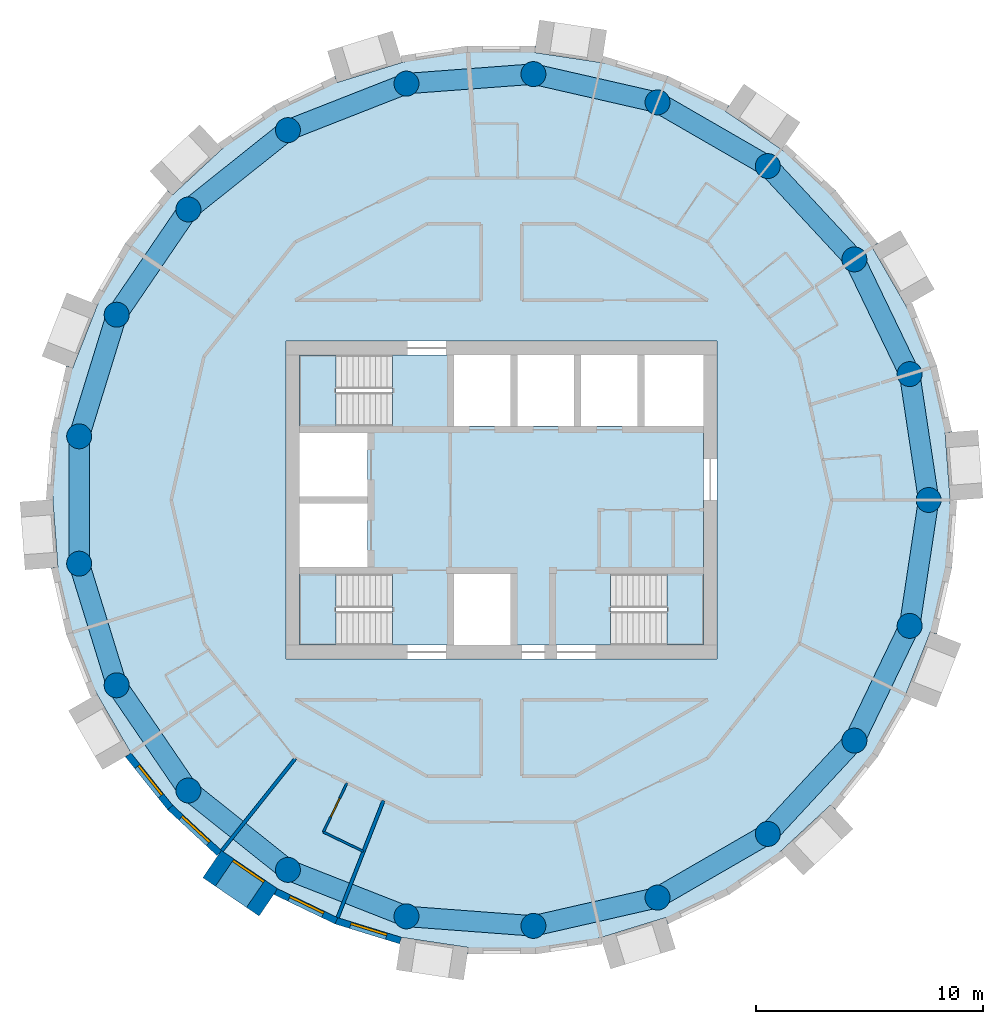
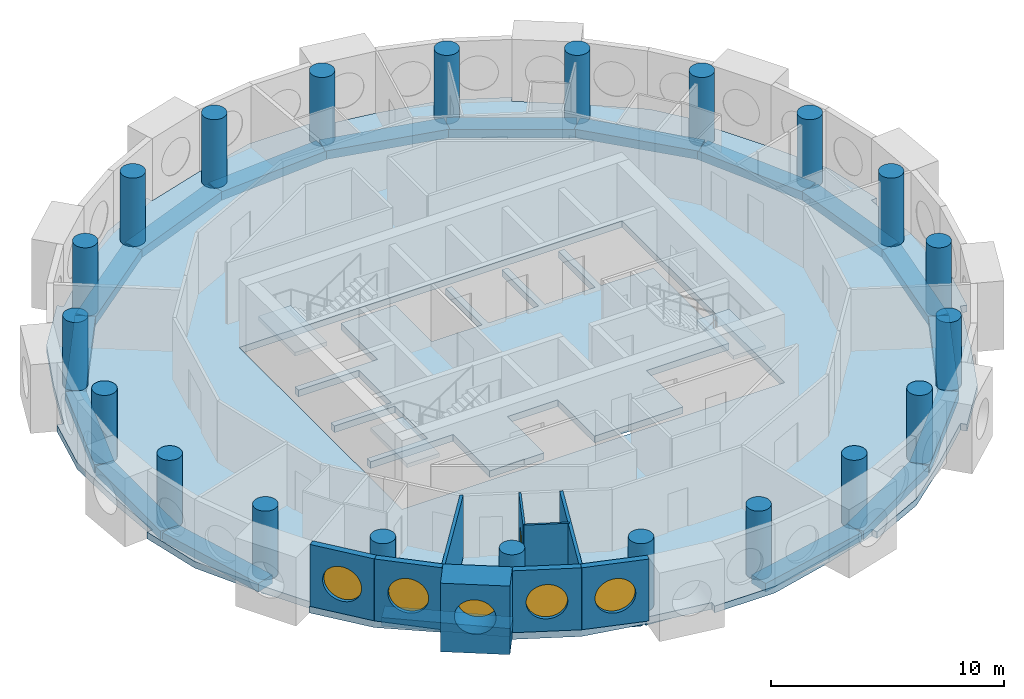
# One storey, part 1 of 13: 21 beams, 21 columns, 9 walls, 5 slabs, 5 windows, 1 door, 6 openings, 3 elements without a shape of their own.
"""IFC4 building model written with IfcOpenShell, lengths in metres."""

import ifcopenshell
import ifcopenshell.guid

model = None  # the IFC model being written
_history = None  # IfcOwnerHistory: only IFC2X3 demands one
_inside = {}  # id of a spatial element -> (the spatial element, [elements in it])
_under = {}  # id of a project, library or spatial element -> (it, [spatial elements below it])
_declared = {}  # id of a project -> (the project, [libraries it declares])
_typed = {}  # id of a type object -> (the type object, [elements of that type])
_made_of = {}  # id of a material, layer set ... -> (it, [elements and type objects made of it])


def new_model(schema):
    """Start an empty IFC model of exactly this schema.

    Asked for "IFC4X3", IfcOpenShell would pick the latest addendum, in which some entities
    have other attributes; the version numbers below select the first issue.
    IFC2X3 requires an IfcOwnerHistory on every rooted entity: one is made here for all.
    """
    global model, _history
    if schema == "IFC4X3":
        model = ifcopenshell.file(schema_version=(4, 3, 0, 0))
    else:
        model = ifcopenshell.file(schema=schema)
    _inside.clear()
    _under.clear()
    _declared.clear()
    _typed.clear()
    _made_of.clear()
    _history = None
    if model.schema == "IFC2X3":
        org = make("IfcOrganization", Name="unknown")
        user = make(
            "IfcPersonAndOrganization",
            ThePerson=make("IfcPerson", FamilyName="unknown"),
            TheOrganization=org,
        )
        app = make(
            "IfcApplication",
            ApplicationDeveloper=org,
            Version="unknown",
            ApplicationFullName="unknown",
            ApplicationIdentifier="unknown",
        )
        _history = make(
            "IfcOwnerHistory",
            OwningUser=user,
            OwningApplication=app,
            ChangeAction="ADDED",
            CreationDate=0,
        )
    return model


def make(cls, **values):
    """One entity of the class cls with the attributes given. An attribute that is None is left unset."""
    return model.create_entity(
        cls, **{name: value for name, value in values.items() if value is not None}
    )


def rooted(cls, **values):
    """An entity with a GlobalId (a new one), such as an element, a storey or a relation."""
    return make(cls, GlobalId=ifcopenshell.guid.new(), OwnerHistory=_history, **values)


def si_unit(unit_type, name, prefix=None):
    """IfcSIUnit, for example si_unit("LENGTHUNIT", "METRE", prefix="MILLI")."""
    return make("IfcSIUnit", UnitType=unit_type, Prefix=prefix, Name=name)


def assignment(units):
    """IfcUnitAssignment: the units of a project."""
    return None if units is None else make("IfcUnitAssignment", Units=units)


def point(xyz):
    """IfcCartesianPoint."""
    return None if xyz is None else make("IfcCartesianPoint", Coordinates=xyz)


def direction(xyz):
    """IfcDirection."""
    return None if xyz is None else make("IfcDirection", DirectionRatios=xyz)


def frame(location, z_axis=None, x_axis=None):
    """IfcAxis2Placement3D, a coordinate frame: its origin and axes. An axis left out is left unset."""
    return make(
        "IfcAxis2Placement3D",
        Location=point(location),
        Axis=direction(z_axis),
        RefDirection=direction(x_axis),
    )


def frame_2d(location, x_axis=None):
    """IfcAxis2Placement2D, a coordinate frame in the plane: its origin and x axis."""
    return make(
        "IfcAxis2Placement2D", Location=point(location), RefDirection=direction(x_axis)
    )


def origin():
    """The frame at (0, 0, 0) with its axes left unset."""
    return frame((0.0, 0.0, 0.0))


def origin_2d():
    """The frame at (0, 0) in the plane with its x axis left unset."""
    return frame_2d((0.0, 0.0))


def place(relative_to, where):
    """IfcLocalPlacement: puts the frame where relative to a parent placement (None: the world)."""
    return make(
        "IfcLocalPlacement", PlacementRelTo=relative_to, RelativePlacement=where
    )


def context(
    kind, dimensions, precision=None, world=None, true_north=None, identifier=None
):
    """IfcGeometricRepresentationContext, for example the 3D "Model" context."""
    return make(
        "IfcGeometricRepresentationContext",
        ContextIdentifier=identifier,
        ContextType=kind,
        CoordinateSpaceDimension=dimensions,
        Precision=precision,
        WorldCoordinateSystem=world,
        TrueNorth=true_north,
    )


def subcontext(parent, identifier, kind, view, scale=None):
    """IfcGeometricRepresentationSubContext, for example "Body" below "Model"."""
    return make(
        "IfcGeometricRepresentationSubContext",
        ContextIdentifier=identifier,
        ContextType=kind,
        ParentContext=parent,
        TargetScale=scale,
        TargetView=view,
    )


def project(units=None, contexts=None):
    """IfcProject with its units and contexts."""
    return rooted(
        "IfcProject",
        Name="project",
        RepresentationContexts=contexts,
        UnitsInContext=assignment(units),
    )


def spatial(cls, under=None, at=None, **own):
    """A site, building, storey or space (cls), placed at a placement, below another one or the project."""
    s = rooted(cls, ObjectPlacement=at, **own)
    if under is not None:
        _under.setdefault(under.id(), (under, []))[1].append(s)
    return s


def polyline(points):
    """IfcPolyline through the points."""
    return make("IfcPolyline", Points=[point(p) for p in points])


def profile(cls, at=None, kind="AREA", **sizes):
    """A parametric profile (cls). Its sizes go by their IFC names, for example OverallWidth=200.0."""
    return make(cls, ProfileType=kind, Position=at, **sizes)


def rectangle(**sizes):
    """IfcRectangleProfileDef."""
    return profile("IfcRectangleProfileDef", **sizes)


def circle(**sizes):
    """IfcCircleProfileDef."""
    return profile("IfcCircleProfileDef", **sizes)


def outline(outer, holes=None, kind="AREA"):
    """IfcArbitraryClosedProfileDef: a profile drawn as a closed curve; with holes, ...WithVoids."""
    if holes is None:
        return make("IfcArbitraryClosedProfileDef", ProfileType=kind, OuterCurve=outer)
    return make(
        "IfcArbitraryProfileDefWithVoids",
        ProfileType=kind,
        OuterCurve=outer,
        InnerCurves=holes,
    )


def extrude(swept, where, along, depth):
    """IfcExtrudedAreaSolid: the profile swept, set in the frame where, extruded along a direction by depth."""
    return make(
        "IfcExtrudedAreaSolid",
        SweptArea=swept,
        Position=where,
        ExtrudedDirection=direction(along),
        Depth=depth,
    )


def shape(context_of_items, identifier, shape_type, items):
    """IfcShapeRepresentation: the items that make up one representation, for example the "Body"."""
    return make(
        "IfcShapeRepresentation",
        ContextOfItems=context_of_items,
        RepresentationIdentifier=identifier,
        RepresentationType=shape_type,
        Items=items,
    )


def material(Name=None, Category=None):
    """IfcMaterial."""
    return make("IfcMaterial", Name=Name, Category=Category)


def layer(
    of_material, thickness, ventilated=None, Name=None, Category=None, Priority=None
):
    """IfcMaterialLayer: one layer of a wall or slab, of a material (None: an air gap)."""
    return make(
        "IfcMaterialLayer",
        Material=of_material,
        LayerThickness=thickness,
        IsVentilated=ventilated,
        Name=Name,
        Category=Category,
        Priority=Priority,
    )


def layer_set(layers, Name=None):
    """IfcMaterialLayerSet."""
    return make("IfcMaterialLayerSet", MaterialLayers=layers, LayerSetName=Name)


def material_profile(
    of_material, cross_section, Name=None, Category=None, Priority=None
):
    """IfcMaterialProfile: a cross section and its material."""
    return make(
        "IfcMaterialProfile",
        Name=Name,
        Material=of_material,
        Profile=cross_section,
        Priority=Priority,
        Category=Category,
    )


def profile_set(profiles, Name=None, composite=None):
    """IfcMaterialProfileSet."""
    return make(
        "IfcMaterialProfileSet",
        Name=Name,
        MaterialProfiles=profiles,
        CompositeProfile=composite,
    )


def made_of(thing, what):
    """Note that an element or type object is made of a material, layer set ...; save() writes the relation."""
    if what is not None:
        _made_of.setdefault(what.id(), (what, []))[1].append(thing)
    return thing


def type_object(cls, material=None, **own):
    """A type object (cls), such as IfcWallType, which elements share."""
    return made_of(rooted(cls, **own), material)


def element(
    cls,
    number,
    at=None,
    inside=None,
    cuts=None,
    type_object=None,
    material=None,
    context=None,
    identifier="Body",
    shape_type=None,
    held_by="IfcProductDefinitionShape",
    body=None,
    shapes=None,
    **own,
):
    """One element of the class cls, such as IfcWall. Its Tag is "e" and its number.

    at: its placement. inside: the storey or other place that contains it. cuts: it is an
    opening in that element (IfcRelVoidsElement). A single representation is given by context,
    identifier, shape_type and body (its items); several are given by shapes. held_by: the class
    of the entity that holds the representations. save() writes the other relations.
    """
    e = rooted(cls, Tag="e%d" % number, ObjectPlacement=at, **own)
    if body is not None:
        shapes = [shape(context, identifier, shape_type, body)]
    if shapes is not None:
        e.Representation = make(held_by, Representations=shapes)
    if inside is not None:
        _inside.setdefault(inside.id(), (inside, []))[1].append(e)
    if cuts is not None:
        rooted(
            "IfcRelVoidsElement", RelatingBuildingElement=cuts, RelatedOpeningElement=e
        )
    if type_object is not None:
        _typed.setdefault(type_object.id(), (type_object, []))[1].append(e)
    return made_of(e, material)


def fill(opening, filler):
    """IfcRelFillsElement: the door or window that sits in an opening."""
    return rooted(
        "IfcRelFillsElement",
        RelatingOpeningElement=opening,
        RelatedBuildingElement=filler,
    )


def aggregate(whole, parts):
    """IfcRelAggregates: a whole, such as a stair, and the parts it consists of."""
    return rooted("IfcRelAggregates", RelatingObject=whole, RelatedObjects=parts)


def save(model, path):
    """Write the relations noted so far, then the file.

    IfcRelAggregates (storeys below a building ...), IfcRelContainedInSpatialStructure (elements
    in a storey), IfcRelDefinesByType, IfcRelAssociatesMaterial and IfcRelDeclares: one each for
    every whole, place, type object, material and project.
    """
    for whole, parts in _under.values():
        aggregate(whole, parts)
    for where, things in _inside.values():
        rooted(
            "IfcRelContainedInSpatialStructure",
            RelatedElements=things,
            RelatingStructure=where,
        )
    for kind, things in _typed.values():
        rooted("IfcRelDefinesByType", RelatedObjects=things, RelatingType=kind)
    for what, things in _made_of.values():
        rooted("IfcRelAssociatesMaterial", RelatedObjects=things, RelatingMaterial=what)
    for by, libraries in _declared.values():
        rooted("IfcRelDeclares", RelatingContext=by, RelatedDefinitions=libraries)
    model.write(path)


model = new_model("IFC4")

# Units and contexts
model_context = context("Model", 3, precision=1e-05, world=origin(), true_north=direction((0.0, 1.0)))
body_context = subcontext(model_context, "Body", "Model", "MODEL_VIEW")
ifc_project = project(units=[si_unit("LENGTHUNIT", "METRE"), si_unit("AREAUNIT", "SQUARE_METRE"), si_unit("VOLUMEUNIT", "CUBIC_METRE"), si_unit("PLANEANGLEUNIT", "RADIAN"), si_unit("MASSUNIT", "GRAM", prefix="KILO")], contexts=[model_context])

# Site, building, storey
site_placement = place(None, origin())
site = spatial("IfcSite", under=ifc_project, at=site_placement, CompositionType="ELEMENT")
building_placement = place(site_placement, origin())
building = spatial("IfcBuilding", under=site, at=building_placement, Name="Tracery Tower", CompositionType="ELEMENT")
storey_placement = place(building_placement, frame((0.0, 0.0, 259.800048828125)))
storey = spatial("IfcBuildingStorey", under=building, at=storey_placement, Name="L67", CompositionType="ELEMENT", Elevation=259.800048828125)

# Columns
ifc_material_1 = material(Name="Concrete C40/50", Category="concrete")
ifc_material_profile_1 = material_profile(ifc_material_1, circle(Radius=0.550048828125, at=origin_2d()), Name="RC D1100")
ifc_profile_set_1 = profile_set([ifc_material_profile_1], Name="Concrete C40/50")
column_type = type_object("IfcColumnType", Name="Ring 2 column 1100", PredefinedType="COLUMN", material=ifc_profile_set_1)
for number, where, z_axis, x_axis, name in (
    (1, (18.822265625, 0.0, 0.0), (0.0, 0.0, 1.0), (1.0, 0.0, 0.0), "Ring 2 column 00 at L67"),
    (2, (17.986083984375, 5.5478515625, 0.0), (0.0, 0.0, 1.0), (1.0, 0.0, 0.0), "Ring 2 column 01 at L67"),
    (3, (15.551513671875, 10.602783203125, 0.0), (0.0, 0.0, 1.0), (1.0, 0.0, 0.0), "Ring 2 column 02 at L67"),
    (4, (11.7353515625, 14.7158203125, 0.0), (0.0, 0.0, 1.0), (1.0, 0.0, 0.0), "Ring 2 column 03 at L67"),
    (5, (6.87646484375, 17.52099609375, 0.0), (0.0, 0.0, 1.0), (1.0, 0.0, 0.0), "Ring 2 column 04 at L67"),
    (6, (1.406494140625, 18.76953125, 0.0), (0.0, 0.0, 1.0), (1.0, 0.0, 0.0), "Ring 2 column 05 at L67"),
    (7, (-4.188232421875, 18.350341796875, 0.0), (0.0, 0.0, 1.0), (1.0, 0.0, 0.0), "Ring 2 column 06 at L67"),
    (8, (-9.4111328125, 16.300537109375, 0.0), (0.0, 0.0, 1.0), (1.0, 0.0, 0.0), "Ring 2 column 07 at L67"),
    (9, (-13.797607421875, 12.802490234375, 0.0), (0.0, 0.0, 1.0), (1.0, 0.0, 0.0), "Ring 2 column 08 at L67"),
    (10, (-16.958251953125, 8.16650390625, 0.0), (0.0, 0.0, 1.0), (1.0, 0.0, 0.0), "Ring 2 column 09 at L67"),
    (11, (-18.612060546875, 2.805419921875, 0.0), (0.0, 0.0, 1.0), (1.0, 0.0, 0.0), "Ring 2 column 10 at L67"),
    (12, (-18.612060546875, -2.805419921875, 0.0), (0.0, 0.0, 1.0), (1.0, 0.0, 0.0), "Ring 2 column 11 at L67"),
    (13, (-16.958251953125, -8.166748046875, 0.0), (0.0, 0.0, 1.0), (1.0, 0.0, 0.0), "Ring 2 column 12 at L67"),
    (14, (-13.797607421875, -12.80224609375, 0.0), (0.0, 0.0, 1.0), (1.0, 0.0, 0.0), "Ring 2 column 13 at L67"),
    (15, (-9.4111328125, -16.300537109375, 0.0), (0.0, 0.0, 1.0), (1.0, 0.0, 0.0), "Ring 2 column 14 at L67"),
    (16, (-4.188232421875, -18.350341796875, 0.0), (0.0, 0.0, 1.0), (1.0, 0.0, 0.0), "Ring 2 column 15 at L67"),
    (17, (1.406494140625, -18.76953125, 0.0), (0.0, 0.0, 1.0), (1.0, 0.0, 0.0), "Ring 2 column 16 at L67"),
    (18, (6.87646484375, -17.52099609375, 0.0), (0.0, 0.0, 1.0), (1.0, 0.0, 0.0), "Ring 2 column 17 at L67"),
    (19, (11.7353515625, -14.7158203125, 0.0), (0.0, 0.0, 1.0), (1.0, 0.0, 0.0), "Ring 2 column 18 at L67"),
    (20, (15.551513671875, -10.602783203125, 0.0), (0.0, 0.0, 1.0), (1.0, 0.0, 0.0), "Ring 2 column 19 at L67"),
    (21, (17.986083984375, -5.5478515625, 0.0), (0.0, 0.0, 1.0), (1.0, 0.0, 0.0), "Ring 2 column 20 at L67"),
):
    element("IfcColumn", number, at=place(storey_placement, frame(where, z_axis=z_axis, x_axis=x_axis)), inside=storey, type_object=column_type, Name=name, PredefinedType="COLUMN", context=body_context, shape_type="SweptSolid", body=[
        extrude(circle(Radius=0.550048828125, at=origin_2d()), origin(), (0.0, 0.0, 1.0), 3.599853515625),
    ])

# Beams
ifc_material_2 = material(Name="Concrete C40/50", Category="concrete")
ifc_material_profile_2 = material_profile(ifc_material_2, rectangle(XDim=0.89990234375, YDim=0.449951171875, at=origin_2d()), Name="RC 900x450")
ifc_profile_set_2 = profile_set([ifc_material_profile_2], Name="Concrete C40/50")
beam_type = type_object("IfcBeamType", Name="Perimeter band beam 900x450", PredefinedType="BEAM", material=ifc_profile_set_2)
for number, where, z_axis, x_axis, name in (
    (22, (18.822265625, 0.0, -0.574951171875), (-0.149038355855, 0.988831415603, 0.0), (-0.988831415603, -0.149038355855, 0.0), "Perimeter beam 2.00 under L67"),
    (23, (17.986083984375, 5.5478515625, -0.574951171875), (-0.433918973155, 0.900951899235, 0.0), (-0.900951899235, -0.433918973155, 0.0), "Perimeter beam 2.01 under L67"),
):
    element("IfcBeam", number, at=place(storey_placement, frame(where, z_axis=z_axis, x_axis=x_axis)), inside=storey, type_object=beam_type, Name=name, PredefinedType="BEAM", context=body_context, shape_type="SweptSolid", body=[
        extrude(rectangle(XDim=0.89990234375, YDim=0.449951171875, at=origin_2d()), origin(), (0.0, 0.0, 1.0), 5.610595703125),
    ])
beam_1_placement = place(storey_placement, frame((15.551513671875, 10.602783203125, -0.574951171875), z_axis=(-0.680155630824, 0.733067744386, 0.0), x_axis=(-0.733067744386, -0.680155630824, 0.0)))
element("IfcBeam", 24, at=beam_1_placement, inside=storey, type_object=beam_type, Name="Perimeter beam 2.02 under L67", PredefinedType="BEAM", context=body_context, shape_type="SweptSolid", body=[
    extrude(rectangle(XDim=0.89990234375, YDim=0.449951171875, at=origin_2d()), origin(), (0.0, 0.0, 1.0), 5.61083984375),
])
for number, where, z_axis, x_axis, name in (
    (25, (11.7353515625, 14.7158203125, -0.574951171875), (-0.866033412818, 0.49998612769, 0.0), (-0.49998612769, -0.866033412818, 0.0), "Perimeter beam 2.03 under L67"),
    (26, (6.87646484375, 17.52099609375, -0.574951171875), (-0.974925977366, 0.222529410768, 0.0), (-0.222529410768, -0.974925977366, 0.0), "Perimeter beam 2.04 under L67"),
):
    element("IfcBeam", number, at=place(storey_placement, frame(where, z_axis=z_axis, x_axis=x_axis)), inside=storey, type_object=beam_type, Name=name, PredefinedType="BEAM", context=body_context, shape_type="SweptSolid", body=[
        extrude(rectangle(XDim=0.89990234375, YDim=0.449951171875, at=origin_2d()), origin(), (0.0, 0.0, 1.0), 5.610595703125),
    ])
beam_2_placement = place(storey_placement, frame((1.406494140625, 18.76953125, -0.574951171875), z_axis=(-0.997204824387, -0.07471638521, 0.0), x_axis=(0.07471638521, -0.997204824387, 0.0)))
element("IfcBeam", 27, at=beam_2_placement, inside=storey, type_object=beam_type, Name="Perimeter beam 2.05 under L67", PredefinedType="BEAM", context=body_context, shape_type="SweptSolid", body=[
    extrude(rectangle(XDim=0.89990234375, YDim=0.449951171875, at=origin_2d()), origin(), (0.0, 0.0, 1.0), 5.6103515625),
])
beam_3_placement = place(storey_placement, frame((-4.188232421875, 18.350341796875, -0.574951171875), z_axis=(-0.930875728468, -0.365335979817, 0.0), x_axis=(0.365335979817, -0.930875728468, 0.0)))
element("IfcBeam", 28, at=beam_3_placement, inside=storey, type_object=beam_type, Name="Perimeter beam 2.06 under L67", PredefinedType="BEAM", context=body_context, shape_type="SweptSolid", body=[
    extrude(rectangle(XDim=0.89990234375, YDim=0.449951171875, at=origin_2d()), origin(), (0.0, 0.0, 1.0), 5.61083984375),
])
beam_4_placement = place(storey_placement, frame((-9.4111328125, 16.300537109375, -0.574951171875), z_axis=(-0.781835817725, -0.623484365579, 0.0), x_axis=(0.623484365579, -0.781835817725, 0.0)))
element("IfcBeam", 29, at=beam_4_placement, inside=storey, type_object=beam_type, Name="Perimeter beam 2.07 under L67", PredefinedType="BEAM", context=body_context, shape_type="SweptSolid", body=[
    extrude(rectangle(XDim=0.89990234375, YDim=0.449951171875, at=origin_2d()), origin(), (0.0, 0.0, 1.0), 5.610595703125),
])
beam_5_placement = place(storey_placement, frame((-13.797607421875, 12.802490234375, -0.574951171875), z_axis=(-0.563305770578, -0.826248515178, 0.0), x_axis=(0.826248515178, -0.563305770578, 0.0)))
element("IfcBeam", 30, at=beam_5_placement, inside=storey, type_object=beam_type, Name="Perimeter beam 2.08 under L67", PredefinedType="BEAM", context=body_context, shape_type="SweptSolid", body=[
    extrude(rectangle(XDim=0.89990234375, YDim=0.449951171875, at=origin_2d()), origin(), (0.0, 0.0, 1.0), 5.61083984375),
])
beam_6_placement = place(storey_placement, frame((-16.958251953125, 8.16650390625, -0.574951171875), z_axis=(-0.294776851839, -0.955566118916, 0.0), x_axis=(0.955566118916, -0.294776851839, 0.0)))
element("IfcBeam", 31, at=beam_6_placement, inside=storey, type_object=beam_type, Name="Perimeter beam 2.09 under L67", PredefinedType="BEAM", context=body_context, shape_type="SweptSolid", body=[
    extrude(rectangle(XDim=0.89990234375, YDim=0.449951171875, at=origin_2d()), origin(), (0.0, 0.0, 1.0), 5.6103515625),
])
beam_7_placement = place(storey_placement, frame((-18.612060546875, 2.805419921875, -0.574951171875), z_axis=(0.0, -1.0, 0.0), x_axis=(1.0, 0.0, 0.0)))
element("IfcBeam", 32, at=beam_7_placement, inside=storey, type_object=beam_type, Name="Perimeter beam 2.10 under L67", PredefinedType="BEAM", context=body_context, shape_type="SweptSolid", body=[
    extrude(rectangle(XDim=0.89990234375, YDim=0.449951171875, at=origin_2d()), origin(), (0.0, 0.0, 1.0), 5.61083984375),
])
for number, where, z_axis, x_axis, name in (
    (33, (-18.612060546875, -2.805419921875, -0.574951171875), (0.294764594813, -0.955569899926, 0.0), (0.955569899926, 0.294764594813, 0.0), "Perimeter beam 2.11 under L67"),
    (34, (-16.958251953125, -8.166748046875, -0.574951171875), (0.5633462764, -0.826220898348, 0.0), (0.826220898348, 0.5633462764, 0.0), "Perimeter beam 2.12 under L67"),
    (35, (-13.797607421875, -12.80224609375, -0.574951171875), (0.781814605872, -0.623510963853, 0.0), (0.623510963853, 0.781814605872, 0.0), "Perimeter beam 2.13 under L67"),
):
    element("IfcBeam", number, at=place(storey_placement, frame(where, z_axis=z_axis, x_axis=x_axis)), inside=storey, type_object=beam_type, Name=name, PredefinedType="BEAM", context=body_context, shape_type="SweptSolid", body=[
        extrude(rectangle(XDim=0.89990234375, YDim=0.449951171875, at=origin_2d()), origin(), (0.0, 0.0, 1.0), 5.610595703125),
    ])
beam_8_placement = place(storey_placement, frame((-9.4111328125, -16.300537109375, -0.574951171875), z_axis=(0.930875728468, -0.365335979817, 0.0), x_axis=(0.365335979817, 0.930875728468, 0.0)))
element("IfcBeam", 36, at=beam_8_placement, inside=storey, type_object=beam_type, Name="Perimeter beam 2.14 under L67", PredefinedType="BEAM", context=body_context, shape_type="SweptSolid", body=[
    extrude(rectangle(XDim=0.89990234375, YDim=0.449951171875, at=origin_2d()), origin(), (0.0, 0.0, 1.0), 5.61083984375),
])
beam_9_placement = place(storey_placement, frame((-4.188232421875, -18.350341796875, -0.574951171875), z_axis=(0.997204824387, -0.07471638521, 0.0), x_axis=(0.07471638521, 0.997204824387, 0.0)))
element("IfcBeam", 37, at=beam_9_placement, inside=storey, type_object=beam_type, Name="Perimeter beam 2.15 under L67", PredefinedType="BEAM", context=body_context, shape_type="SweptSolid", body=[
    extrude(rectangle(XDim=0.89990234375, YDim=0.449951171875, at=origin_2d()), origin(), (0.0, 0.0, 1.0), 5.6103515625),
])
for number, where, z_axis, x_axis, name in (
    (38, (1.406494140625, -18.76953125, -0.574951171875), (0.974925977366, 0.222529410768, 0.0), (-0.222529410768, 0.974925977366, 0.0), "Perimeter beam 2.16 under L67"),
    (39, (6.87646484375, -17.52099609375, -0.574951171875), (0.866033412818, 0.49998612769, 0.0), (-0.49998612769, 0.866033412818, 0.0), "Perimeter beam 2.17 under L67"),
):
    element("IfcBeam", number, at=place(storey_placement, frame(where, z_axis=z_axis, x_axis=x_axis)), inside=storey, type_object=beam_type, Name=name, PredefinedType="BEAM", context=body_context, shape_type="SweptSolid", body=[
        extrude(rectangle(XDim=0.89990234375, YDim=0.449951171875, at=origin_2d()), origin(), (0.0, 0.0, 1.0), 5.610595703125),
    ])
beam_10_placement = place(storey_placement, frame((11.7353515625, -14.7158203125, -0.574951171875), z_axis=(0.680155630824, 0.733067744386, 0.0), x_axis=(-0.733067744386, 0.680155630824, 0.0)))
element("IfcBeam", 40, at=beam_10_placement, inside=storey, type_object=beam_type, Name="Perimeter beam 2.18 under L67", PredefinedType="BEAM", context=body_context, shape_type="SweptSolid", body=[
    extrude(rectangle(XDim=0.89990234375, YDim=0.449951171875, at=origin_2d()), origin(), (0.0, 0.0, 1.0), 5.61083984375),
])
for number, where, z_axis, x_axis, name in (
    (41, (15.551513671875, -10.602783203125, -0.574951171875), (0.433918973155, 0.900951899235, 0.0), (-0.900951899235, 0.433918973155, 0.0), "Perimeter beam 2.19 under L67"),
    (42, (17.986083984375, -5.5478515625, -0.574951171875), (0.149038355855, 0.988831415603, 0.0), (-0.988831415603, 0.149038355855, 0.0), "Perimeter beam 2.20 under L67"),
):
    element("IfcBeam", number, at=place(storey_placement, frame(where, z_axis=z_axis, x_axis=x_axis)), inside=storey, type_object=beam_type, Name=name, PredefinedType="BEAM", context=body_context, shape_type="SweptSolid", body=[
        extrude(rectangle(XDim=0.89990234375, YDim=0.449951171875, at=origin_2d()), origin(), (0.0, 0.0, 1.0), 5.610595703125),
    ])

# Slabs
ifc_material_3 = material(Name="Concrete C40/50", Category="concrete")
ifc_layer_1 = layer(ifc_material_3, 0.35009765625)
ifc_layer_set_1 = layer_set([ifc_layer_1], Name="Core floor slab 350 C40")
slab_type_1 = type_object("IfcSlabType", Name="Core floor slab 350 C40", PredefinedType="FLOOR", material=ifc_layer_set_1)
slab_1_placement = place(storey_placement, frame((0.0, 0.0, -0.35009765625)))
element("IfcSlab", 43, at=slab_1_placement, inside=storey, type_object=slab_type_1, Name="L67 core floor 1", PredefinedType="FLOOR", context=body_context, shape_type="SweptSolid", body=[
    extrude(outline(polyline([(-4.800537109375, -3.25), (-8.89990234375, -3.25), (-8.89990234375, -2.949951171875), (-5.89990234375, -2.949951171875), (-5.89990234375, -0.14990234375), (-8.89990234375, -0.14990234375), (-8.89990234375, 0.14990234375), (-5.89990234375, 0.14990234375), (-5.89990234375, 2.949951171875), (-8.89990234375, 2.949951171875), (-8.89990234375, 3.25), (-4.800537109375, 3.25), (-4.800537109375, 6.39990234375), (-2.10009765625, 6.39990234375), (-2.10009765625, 3.25), (0.39990234375, 3.25), (0.39990234375, 6.39990234375), (0.699951171875, 6.39990234375), (0.699951171875, 3.25), (3.199951171875, 3.25), (3.199951171875, 6.39990234375), (3.5, 6.39990234375), (3.5, 3.25), (6.0, 3.25), (6.0, 6.39990234375), (6.300048828125, 6.39990234375), (6.300048828125, 3.25), (8.89990234375, 3.25), (8.89990234375, -3.25), (4.800537109375, -3.25), (4.800537109375, -6.39990234375), (0.39990234375, -6.39990234375), (0.39990234375, -3.25), (-2.10009765625, -3.25), (-2.10009765625, -6.39990234375), (-4.800537109375, -6.39990234375), (-4.800537109375, -3.25)])), origin(), (0.0, 0.0, 1.0), 0.35009765625),
])
ifc_material_4 = material(Name="Concrete C40/50", Category="concrete")
ifc_layer_2 = layer(ifc_material_4, 0.35009765625)
ifc_layer_set_2 = layer_set([ifc_layer_2], Name="Floor slab 350")
slab_type_2 = type_object("IfcSlabType", Name="Floor slab 350", PredefinedType="FLOOR", material=ifc_layer_set_2)
slab_2_placement = place(storey_placement, frame((0.0, 0.0, -0.35009765625)))
element("IfcSlab", 44, at=slab_2_placement, inside=storey, type_object=slab_type_2, Name="Floor slab L67", PredefinedType="FLOOR", context=body_context, shape_type="SweptSolid", body=[
    extrude(outline(polyline([(19.550537109375, 2.94677734375), (19.548828125, 2.96923828125), (19.847900390625, 2.99169921875), (19.180419921875, 5.91650390625), (17.813720703125, 8.577880859375), (16.32470703125, 11.156982421875), (16.583984375, 11.306884765625), (16.58447265625, 11.30712890625), (14.714111328125, 13.652587890625), (12.3271484375, 15.4580078125), (9.8671875, 17.13525390625), (10.0361328125, 17.383056640625), (7.333251953125, 18.684814453125), (4.3994140625, 19.275634765625), (2.3466796875, 19.585205078125), (1.455322265625, 19.719482421875), (1.5, 20.01611328125), (1.5, 20.01611328125), (-1.5, 20.01611328125), (-4.3994140625, 19.275634765625), (-7.223388671875, 18.404541015625), (-7.223388671875, 18.404541015625), (-7.244873046875, 18.39794921875), (-7.333251953125, 18.684814453125), (-10.0361328125, 17.383056640625), (-12.3271484375, 15.4580078125), (-14.493408203125, 13.447998046875), (-14.493408203125, 13.447998046875), (-14.510009765625, 13.4326171875), (-14.714111328125, 13.652587890625), (-14.714111328125, 13.652587890625), (-16.58447265625, 11.30712890625), (-17.81298828125, 8.5791015625), (-18.901123046875, 5.806884765625), (-19.180419921875, 5.91650390625), (-19.847900390625, 2.99169921875), (-19.771484375, 0.000732421875), (-19.63720703125, -1.789306640625), (-19.550537109375, -2.94677734375), (-19.550537109375, -2.94677734375), (-19.548828125, -2.96923828125), (-19.847900390625, -2.99169921875), (-19.180419921875, -5.91650390625), (-17.813720703125, -8.577880859375), (-16.32470703125, -11.156982421875), (-16.583984375, -11.306884765625), (-16.58447265625, -11.30712890625), (-14.714111328125, -13.652587890625), (-12.3271484375, -15.4580078125), (-9.8671875, -17.13525390625), (-10.0361328125, -17.383056640625), (-7.333251953125, -18.684814453125), (-4.3994140625, -19.275634765625), (-2.3466796875, -19.585205078125), (-1.455322265625, -19.719482421875), (-1.5, -20.01611328125), (-1.5, -20.01611328125), (1.5, -20.01611328125), (4.3994140625, -19.275634765625), (7.223388671875, -18.404541015625), (7.223388671875, -18.404541015625), (7.244873046875, -18.39794921875), (7.333251953125, -18.684814453125), (10.0361328125, -17.383056640625), (12.3271484375, -15.4580078125), (14.493408203125, -13.447998046875), (14.493408203125, -13.447998046875), (14.510009765625, -13.4326171875), (14.714111328125, -13.652587890625), (14.714111328125, -13.652587890625), (16.58447265625, -11.30712890625), (17.81298828125, -8.5791015625), (18.901123046875, -5.806884765625), (19.180419921875, -5.91650390625), (19.847900390625, -2.99169921875), (19.771484375, -0.000732421875), (19.63720703125, 1.789306640625), (19.550537109375, 2.94677734375), (19.550537109375, 2.94677734375)]), holes=[polyline([(-9.5, -7.0), (9.5, -7.0), (9.5, 7.0), (-9.5, 7.0), (-9.5, -7.0)])]), origin(), (0.0, 0.0, 1.0), 0.35009765625),
])

# Stair, slab
ifc_material_5 = material(Name="Concrete C32/40", Category="concrete")
stair_type = type_object("IfcStairType", Name="Core stair 22 risers", PredefinedType="HALF_TURN_STAIR", material=ifc_material_5)
stair_1_placement = place(storey_placement, origin())
stair_1 = element("IfcStair", 45, at=stair_1_placement, inside=storey, type_object=stair_type, Name="L67 stair ST1", PredefinedType="HALF_TURN_STAIR")
ifc_material_6 = material(Name="Concrete C32/40", Category="concrete")
ifc_layer_3 = layer(ifc_material_6, 0.199951171875)
ifc_layer_set_3 = layer_set([ifc_layer_3], Name="Stair landing slab 200")
slab_type_3 = type_object("IfcSlabType", Name="Stair landing slab 200", PredefinedType="LANDING", material=ifc_layer_set_3)
slab_3_placement = place(storey_placement, frame((0.0, 0.0, 1.599853515625)))
slab_3 = element("IfcSlab", 46, at=slab_3_placement, type_object=slab_type_3, Name="ST1 landing 1", PredefinedType="LANDING", context=body_context, shape_type="SweptSolid", body=[
    extrude(outline(polyline([(-7.29931640625, -3.25), (-8.89990234375, -3.25), (-8.89990234375, -6.39990234375), (-7.29931640625, -6.39990234375), (-7.29931640625, -3.25)])), origin(), (0.0, 0.0, 1.0), 0.2001953125),
])
aggregate(stair_1, [slab_3])

stair_2_placement = place(storey_placement, origin())
stair_2 = element("IfcStair", 47, at=stair_2_placement, inside=storey, type_object=stair_type, Name="L67 stair ST3", PredefinedType="HALF_TURN_STAIR")
slab_4_placement = place(storey_placement, frame((0.0, 0.0, 1.599853515625)))
slab_4 = element("IfcSlab", 48, at=slab_4_placement, type_object=slab_type_3, Name="ST3 landing 1", PredefinedType="LANDING", context=body_context, shape_type="SweptSolid", body=[
    extrude(outline(polyline([(-7.29931640625, 6.39990234375), (-8.89990234375, 6.39990234375), (-8.89990234375, 3.25), (-7.29931640625, 3.25), (-7.29931640625, 6.39990234375)])), origin(), (0.0, 0.0, 1.0), 0.2001953125),
])
aggregate(stair_2, [slab_4])

stair_3_placement = place(storey_placement, origin())
stair_3 = element("IfcStair", 49, at=stair_3_placement, inside=storey, type_object=stair_type, Name="L67 stair ST2", PredefinedType="HALF_TURN_STAIR")
slab_5_placement = place(storey_placement, frame((0.0, 0.0, 1.599853515625)))
slab_5 = element("IfcSlab", 50, at=slab_5_placement, type_object=slab_type_3, Name="ST2 landing 1", PredefinedType="LANDING", context=body_context, shape_type="SweptSolid", body=[
    extrude(outline(polyline([(7.29931640625, -6.39990234375), (8.89990234375, -6.39990234375), (8.89990234375, -3.25), (7.29931640625, -3.25), (7.29931640625, -6.39990234375)])), origin(), (0.0, 0.0, 1.0), 0.2001953125),
])
aggregate(stair_3, [slab_5])

# Wall, opening, window
ifc_material_7 = material(Name="Precast concrete C50/60", Category="concrete")
ifc_layer_4 = layer(ifc_material_7, 1.449951171875)
ifc_layer_set_4 = layer_set([ifc_layer_4], Name="Deep-set bay unit 3000 x 3600, slab edge 350")
wall_type_1 = type_object("IfcWallType", Name="Deep-set bay unit 3000 x 3600, slab edge 350", PredefinedType="ELEMENTEDWALL", material=ifc_layer_set_4)
wall_1_placement = place(storey_placement, frame((-12.754150390625, -16.044189453125, -0.35009765625), z_axis=(0.0, 0.0, 1.0), x_axis=(0.826246281157, -0.563309047392, 0.0)))
wall_1 = element("IfcWall", 51, at=wall_1_placement, inside=storey, type_object=wall_type_1, Name="Deep-set bay unit 28 at L67", PredefinedType="ELEMENTEDWALL", context=body_context, shape_type="SweptSolid", body=[
    extrude(rectangle(XDim=3.0, YDim=1.449951171875, at=frame_2d((1.5, 0.0))), origin(), (0.0, 0.0, 1.0), 3.60009765625),
])
opening_1_placement = place(wall_1_placement, frame((1.5, 0.0, 1.89990234375)))
opening_1 = element("IfcOpeningElement", 52, at=opening_1_placement, cuts=wall_1, Name="Opening WN1", PredefinedType="OPENING", context=body_context, shape_type="SweptSolid", body=[
    extrude(circle(Radius=0.9000244140625, at=origin_2d()), frame((0.0, 0.73486328125, 0.0), z_axis=(0.0, -1.0, 0.0), x_axis=(1.0, 0.0, 0.0)), (0.0, 0.0, 1.0), 1.469970703125),
])
ifc_material_8 = material(Name="Aluminium frame with tinted double glazing", Category="aluminium")
window_type = type_object("IfcWindowType", Name="Round window 1800", PartitioningType="SINGLE_PANEL", PredefinedType="WINDOW", material=ifc_material_8)
window_1_placement = place(opening_1_placement, origin())
window_1 = element("IfcWindow", 53, at=window_1_placement, inside=storey, type_object=window_type, Name="Round window 28 at L67", OverallHeight=1.800048828125, OverallWidth=1.800048828125, PartitioningType="SINGLE_PANEL", PredefinedType="WINDOW", context=body_context, shape_type="SweptSolid", body=[
    extrude(circle(Radius=0.9000244140625, at=origin_2d()), frame((0.0, 0.69482421875, 0.0), z_axis=(0.0, -1.0, 0.0), x_axis=(1.0, 0.0, 0.0)), (0.0, 0.0, 1.0), 0.10009765625),
])
fill(opening_1, window_1)

ifc_material_9 = material(Name="Precast concrete C50/60", Category="concrete")
ifc_layer_5 = layer(ifc_material_9, 0.300048828125)
ifc_layer_set_5 = layer_set([ifc_layer_5], Name="Facade panel 3000 x 3250")
wall_type_2 = type_object("IfcWallType", Name="Facade panel 3000 x 3250", PredefinedType="SOLIDWALL", material=ifc_layer_set_5)
wall_2_placement = place(storey_placement, frame((-16.45068359375, -11.234375, 0.0), z_axis=(0.0, 0.0, 1.0), x_axis=(0.623498236992, -0.781824755599, 0.0)))
wall_2 = element("IfcWall", 54, at=wall_2_placement, inside=storey, type_object=wall_type_2, Name="Facade panel 26 at L67", PredefinedType="SOLIDWALL", context=body_context, shape_type="SweptSolid", body=[
    extrude(rectangle(XDim=2.962158203125, YDim=0.300048828125, at=frame_2d((1.48095703125, 0.0))), origin(), (0.0, 0.0, 1.0), 3.25),
])
opening_2_placement = place(wall_2_placement, frame((1.48095703125, 0.0, 1.5498046875)))
opening_2 = element("IfcOpeningElement", 55, at=opening_2_placement, cuts=wall_2, Name="Opening WN1", PredefinedType="OPENING", context=body_context, shape_type="SweptSolid", body=[
    extrude(circle(Radius=0.9000244140625, at=origin_2d()), frame((0.0, 0.159912109375, 0.0), z_axis=(0.0, -1.0, 0.0), x_axis=(1.0, 0.0, 0.0)), (0.0, 0.0, 1.0), 0.320068359375),
])
window_2_placement = place(opening_2_placement, origin())
window_2 = element("IfcWindow", 56, at=window_2_placement, inside=storey, type_object=window_type, Name="Round window 26 at L67", OverallHeight=1.800048828125, OverallWidth=1.800048828125, PartitioningType="SINGLE_PANEL", PredefinedType="WINDOW", context=body_context, shape_type="SweptSolid", body=[
    extrude(circle(Radius=0.9000244140625, at=origin_2d()), frame((0.0, 0.1201171875, 0.0), z_axis=(0.0, -1.0, 0.0), x_axis=(1.0, 0.0, 0.0)), (0.0, 0.0, 1.0), 0.10009765625),
])
fill(opening_2, window_2)

wall_3_placement = place(storey_placement, frame((-14.603759765625, -13.55029296875, 0.0), z_axis=(0.0, 0.0, 1.0), x_axis=(0.733066412643, -0.680157066165, 0.0)))
wall_3 = element("IfcWall", 57, at=wall_3_placement, inside=storey, type_object=wall_type_2, Name="Facade panel 27 at L67", PredefinedType="SOLIDWALL", context=body_context, shape_type="SweptSolid", body=[
    extrude(rectangle(XDim=2.96240234375, YDim=0.300048828125, at=frame_2d((1.481201171875, 0.0))), origin(), (0.0, 0.0, 1.0), 3.25),
])
opening_3_placement = place(wall_3_placement, frame((1.48095703125, 0.0, 1.5498046875)))
opening_3 = element("IfcOpeningElement", 58, at=opening_3_placement, cuts=wall_3, Name="Opening WN1", PredefinedType="OPENING", context=body_context, shape_type="SweptSolid", body=[
    extrude(circle(Radius=0.9000244140625, at=origin_2d()), frame((0.0, 0.159912109375, 0.0), z_axis=(0.0, -1.0, 0.0), x_axis=(1.0, 0.0, 0.0)), (0.0, 0.0, 1.0), 0.320068359375),
])
window_3_placement = place(opening_3_placement, origin())
window_3 = element("IfcWindow", 59, at=window_3_placement, inside=storey, type_object=window_type, Name="Round window 27 at L67", OverallHeight=1.800048828125, OverallWidth=1.800048828125, PartitioningType="SINGLE_PANEL", PredefinedType="WINDOW", context=body_context, shape_type="SweptSolid", body=[
    extrude(circle(Radius=0.9000244140625, at=origin_2d()), frame((0.0, 0.1201171875, 0.0), z_axis=(0.0, -1.0, 0.0), x_axis=(1.0, 0.0, 0.0)), (0.0, 0.0, 1.0), 0.10009765625),
])
fill(opening_3, window_3)

wall_4_placement = place(storey_placement, frame((-9.947021484375, -17.25927734375, 0.0), z_axis=(0.0, 0.0, 1.0), x_axis=(0.900939615635, -0.433944476838, 0.0)))
wall_4 = element("IfcWall", 60, at=wall_4_placement, inside=storey, type_object=wall_type_2, Name="Facade panel 29 at L67", PredefinedType="SOLIDWALL", context=body_context, shape_type="SweptSolid", body=[
    extrude(rectangle(XDim=2.962158203125, YDim=0.300048828125, at=frame_2d((1.48095703125, 0.0))), origin(), (0.0, 0.0, 1.0), 3.25),
])
opening_4_placement = place(wall_4_placement, frame((1.48095703125, 0.0, 1.5498046875)))
opening_4 = element("IfcOpeningElement", 61, at=opening_4_placement, cuts=wall_4, Name="Opening WN1", PredefinedType="OPENING", context=body_context, shape_type="SweptSolid", body=[
    extrude(circle(Radius=0.9000244140625, at=origin_2d()), frame((0.0, 0.159912109375, 0.0), z_axis=(0.0, -1.0, 0.0), x_axis=(1.0, 0.0, 0.0)), (0.0, 0.0, 1.0), 0.320068359375),
])
window_4_placement = place(opening_4_placement, origin())
window_4 = element("IfcWindow", 62, at=window_4_placement, inside=storey, type_object=window_type, Name="Round window 29 at L67", OverallHeight=1.800048828125, OverallWidth=1.800048828125, PartitioningType="SINGLE_PANEL", PredefinedType="WINDOW", context=body_context, shape_type="SweptSolid", body=[
    extrude(circle(Radius=0.9000244140625, at=origin_2d()), frame((0.0, 0.1201171875, 0.0), z_axis=(0.0, -1.0, 0.0), x_axis=(1.0, 0.0, 0.0)), (0.0, 0.0, 1.0), 0.10009765625),
])
fill(opening_4, window_4)

wall_5_placement = place(storey_placement, frame((-7.2783203125, -18.544677734375, 0.0), z_axis=(0.0, 0.0, 1.0), x_axis=(0.95558635705, -0.294711238707, 0.0)))
wall_5 = element("IfcWall", 63, at=wall_5_placement, inside=storey, type_object=wall_type_2, Name="Facade panel 30 at L67", PredefinedType="SOLIDWALL", context=body_context, shape_type="SweptSolid", body=[
    extrude(rectangle(XDim=2.96240234375, YDim=0.300048828125, at=frame_2d((1.481201171875, 0.0))), origin(), (0.0, 0.0, 1.0), 3.25),
])
opening_5_placement = place(wall_5_placement, frame((1.48095703125, 0.0, 1.5498046875)))
opening_5 = element("IfcOpeningElement", 64, at=opening_5_placement, cuts=wall_5, Name="Opening WN1", PredefinedType="OPENING", context=body_context, shape_type="SweptSolid", body=[
    extrude(circle(Radius=0.9000244140625, at=origin_2d()), frame((0.0, 0.159912109375, 0.0), z_axis=(0.0, -1.0, 0.0), x_axis=(1.0, 0.0, 0.0)), (0.0, 0.0, 1.0), 0.320068359375),
])
window_5_placement = place(opening_5_placement, origin())
window_5 = element("IfcWindow", 65, at=window_5_placement, inside=storey, type_object=window_type, Name="Round window 30 at L67", OverallHeight=1.800048828125, OverallWidth=1.800048828125, PartitioningType="SINGLE_PANEL", PredefinedType="WINDOW", context=body_context, shape_type="SweptSolid", body=[
    extrude(circle(Radius=0.9000244140625, at=origin_2d()), frame((0.0, 0.1201171875, 0.0), z_axis=(0.0, -1.0, 0.0), x_axis=(1.0, 0.0, 0.0)), (0.0, 0.0, 1.0), 0.10009765625),
])
fill(opening_5, window_5)

# Wall, opening, door
ifc_material_10 = material(Name="Plasterboard on steel studs", Category="steel")
ifc_layer_6 = layer(ifc_material_10, 0.10009765625)
ifc_layer_set_6 = layer_set([ifc_layer_6], Name="Partition 100 wet wall")
wall_type_3 = type_object("IfcWallType", Name="Partition 100 wet wall", PredefinedType="PARTITIONING", material=ifc_layer_set_6)
wall_6_placement = place(storey_placement, frame((-7.85009765625, -14.635009765625, 0.0), z_axis=(0.0, 0.0, 1.0), x_axis=(0.433815618773, 0.901001669759, 0.0)))
wall_6 = element("IfcWall", 66, at=wall_6_placement, inside=storey, type_object=wall_type_3, Name="Wet wall RC3-077", PredefinedType="PARTITIONING", context=body_context, shape_type="SweptSolid", body=[
    extrude(rectangle(XDim=2.399658203125, YDim=0.10009765625, at=frame_2d((1.19970703125, 0.0))), origin(), (0.0, 0.0, 1.0), 3.25),
])
opening_6_placement = place(wall_6_placement, frame((0.74951171875, 0.0, 0.0)))
opening_6 = element("IfcOpeningElement", 67, at=opening_6_placement, cuts=wall_6, Name="Opening RC3-22", PredefinedType="OPENING", context=body_context, shape_type="SweptSolid", body=[
    extrude(rectangle(XDim=0.89990234375, YDim=2.0400390625, at=frame_2d((0.449951171875, 1.02001953125))), frame((0.0, 0.050048828125, 0.0), z_axis=(0.0, -1.0, 0.0), x_axis=(1.0, 0.0, 0.0)), (0.0, 0.0, 1.0), 0.10009765625),
])
ifc_material_11 = material(Name="Timber door leaf", Category="wood")
door_type = type_object("IfcDoorType", Name="Door en-suite 900", OperationType="NOTDEFINED", PredefinedType="DOOR", material=ifc_material_11)
door_placement = place(opening_6_placement, origin())
door = element("IfcDoor", 68, at=door_placement, inside=storey, type_object=door_type, Name="En-suite door RC3-22", OperationType="SINGLE_SWING_RIGHT", OverallHeight=2.0400390625, OverallWidth=0.89990234375, PredefinedType="DOOR", context=body_context, shape_type="SweptSolid", body=[
    extrude(rectangle(XDim=0.89990234375, YDim=2.0400390625, at=frame_2d((0.449951171875, 1.02001953125))), frame((0.0, 0.02490234375, 0.0), z_axis=(0.0, -1.0, 0.0), x_axis=(1.0, 0.0, 0.0)), (0.0, 0.0, 1.0), 0.050048828125),
])
fill(opening_6, door)

# Walls
wall_7_placement = place(storey_placement, frame((-7.85009765625, -14.635009765625, 0.0), z_axis=(0.0, 0.0, 1.0), x_axis=(0.900936932599, -0.433950047216, 0.0)))
element("IfcWall", 69, at=wall_7_placement, inside=storey, type_object=wall_type_3, Name="Wet wall RC3-078", PredefinedType="PARTITIONING", context=body_context, shape_type="SweptSolid", body=[
    extrude(rectangle(XDim=1.9658203125, YDim=0.10009765625, at=frame_2d((0.98291015625, 0.0))), origin(), (0.0, 0.0, 1.0), 3.25),
])
ifc_material_12 = material(Name="Plasterboard on steel studs", Category="steel")
ifc_layer_7 = layer(ifc_material_12, 0.14990234375)
ifc_layer_set_7 = layer_set([ifc_layer_7], Name="Partition 150 acoustic unit wall")
wall_type_4 = type_object("IfcWallType", Name="Partition 150 acoustic unit wall", PredefinedType="PARTITIONING", material=ifc_layer_set_7)
wall_8_placement = place(storey_placement, frame((-12.326904296875, -15.4580078125, 0.0), z_axis=(0.0, 0.0, 1.0), x_axis=(0.623460949534, 0.781854490558, 0.0)))
element("IfcWall", 70, at=wall_8_placement, inside=storey, type_object=wall_type_4, Name="Unit wall RC3-076", PredefinedType="PARTITIONING", context=body_context, shape_type="SweptSolid", body=[
    extrude(rectangle(XDim=5.21435546875, YDim=0.14990234375, at=frame_2d((2.607177734375, 0.0))), origin(), (0.0, 0.0, 1.0), 3.25),
])
wall_9_placement = place(storey_placement, frame((-7.222900390625, -18.405029296875, 0.0), z_axis=(0.0, 0.0, 1.0), x_axis=(0.36511374114, 0.930962918719, 0.0)))
element("IfcWall", 71, at=wall_9_placement, inside=storey, type_object=wall_type_4, Name="Unit wall RC3-079", PredefinedType="PARTITIONING", context=body_context, shape_type="SweptSolid", body=[
    extrude(rectangle(XDim=5.5400390625, YDim=0.14990234375, at=frame_2d((2.77001953125, 0.0))), origin(), (0.0, 0.0, 1.0), 3.25),
])

save(model, "model.ifc")
